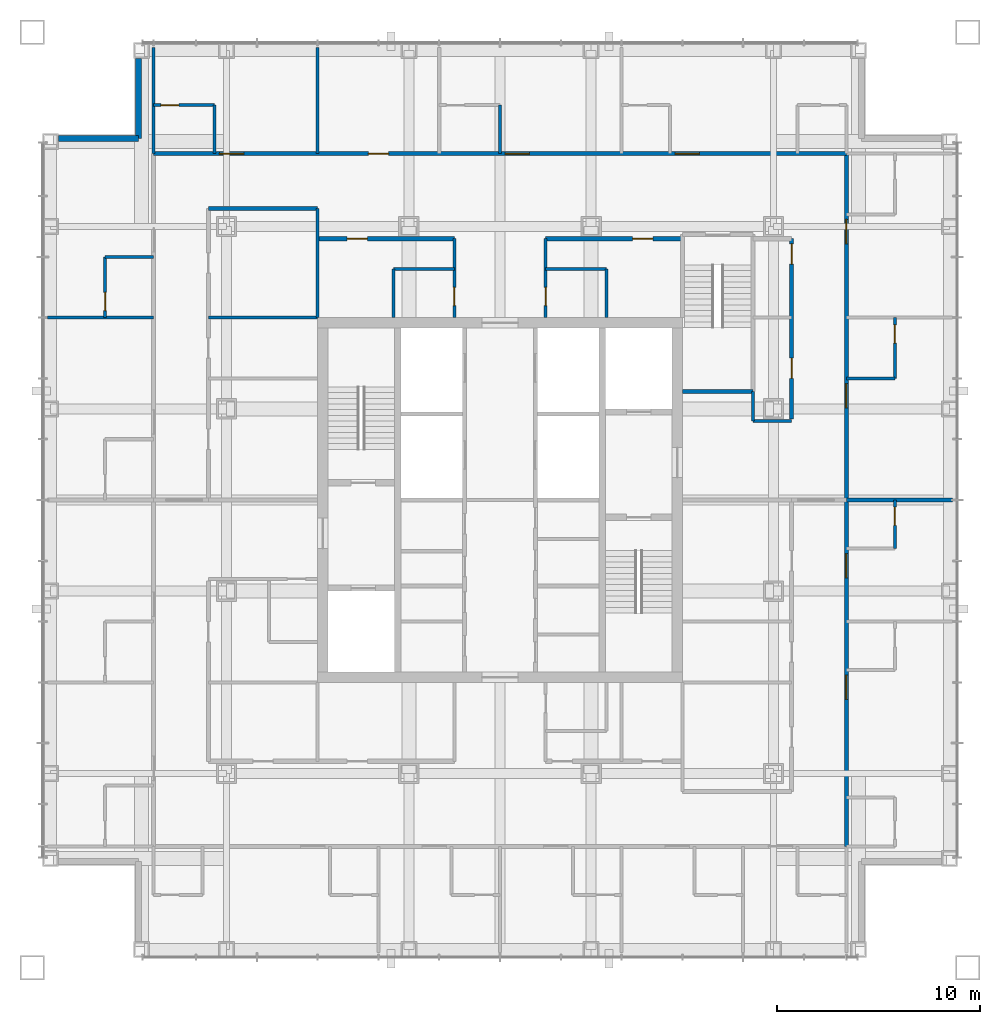
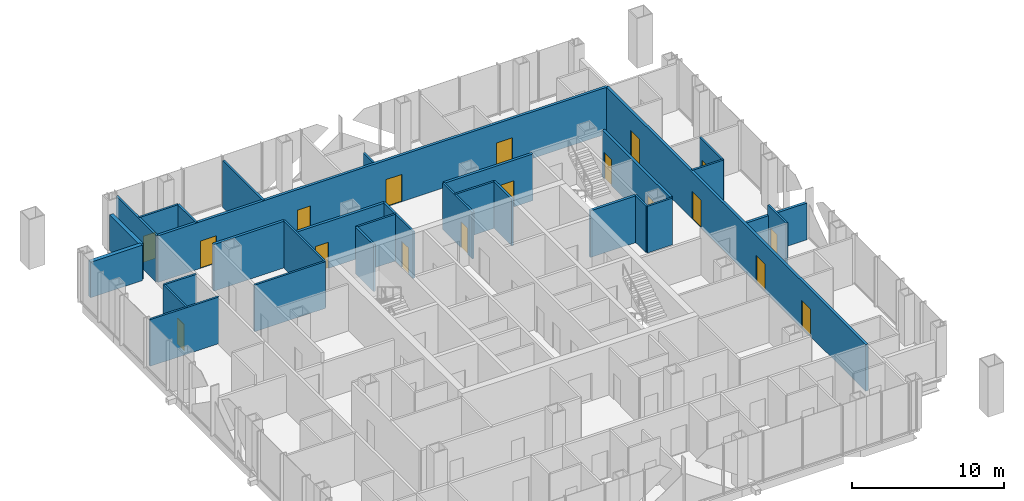
# One storey, part 15 of 17: 31 walls, 18 doors, 18 openings.
"""IFC4 building model written with IfcOpenShell, lengths in metres."""

from ifc_helpers import new_model, si_unit, direction, frame, frame_2d, origin, place, context, subcontext, project, spatial, rectangle, extrude, material, layer, layer_set, type_object, element, fill, save


model = new_model("IFC4")

# Units and contexts
model_context = context("Model", 3, precision=1e-05, world=origin(), true_north=direction((0.0, 1.0)))
body_context = subcontext(model_context, "Body", "Model", "MODEL_VIEW")
ifc_project = project(units=[si_unit("LENGTHUNIT", "METRE"), si_unit("AREAUNIT", "SQUARE_METRE"), si_unit("VOLUMEUNIT", "CUBIC_METRE"), si_unit("PLANEANGLEUNIT", "RADIAN"), si_unit("MASSUNIT", "GRAM", prefix="KILO")], contexts=[model_context])

# Site, building, storey
site_placement = place(None, origin())
site = spatial("IfcSite", under=ifc_project, at=site_placement, CompositionType="ELEMENT")
building_placement = place(site_placement, origin())
building = spatial("IfcBuilding", under=site, at=building_placement, Name="Malebo Sky Hospital", CompositionType="ELEMENT")
storey_placement = place(building_placement, frame((0.0, 0.0, 189.0)))
storey = spatial("IfcBuildingStorey", under=building, at=storey_placement, Name="L45", CompositionType="ELEMENT", Elevation=189.0)

# Wall, openings, doors
ifc_material_1 = material(Name="Gypsum board on steel studs", Category="steel")
ifc_layer_1 = layer(ifc_material_1, 0.199951171875)
ifc_layer_set_1 = layer_set([ifc_layer_1], Name="CORRIDOR WALL 200")
wall_type_1 = type_object("IfcWallType", Name="CORRIDOR WALL 200", PredefinedType="PARTITIONING", material=ifc_layer_set_1)
wall_1_placement = place(storey_placement, frame((42.89990234375, 79.10009765625, 0.0), z_axis=(0.0, 0.0, 1.0), x_axis=(1.0, 0.0, 0.0)))
wall_1 = element("IfcWall", 1, at=wall_1_placement, inside=storey, type_object=wall_type_1, Name="Corridor Wall 200 NCO", PredefinedType="PARTITIONING", context=body_context, shape_type="SweptSolid", body=[
    extrude(rectangle(XDim=34.2001953125, YDim=0.199951171875, at=frame_2d((17.10009765625, 0.0))), origin(), (0.0, 0.0, 1.0), 3.75),
])
opening_1_placement = place(wall_1_placement, frame((3.25, 0.0, 0.0)))
opening_1 = element("IfcOpeningElement", 2, at=opening_1_placement, cuts=wall_1, Name="Opening D01", PredefinedType="OPENING", context=body_context, shape_type="SweptSolid", body=[
    extrude(rectangle(XDim=1.199951171875, YDim=2.199951171875, at=frame_2d((0.60009765625, 1.10009765625))), frame((0.0, 0.10986328125, 0.0), z_axis=(0.0, -1.0, 0.0), x_axis=(1.0, 0.0, 0.0)), (0.0, 0.0, 1.0), 0.219970703125),
])
opening_2_placement = place(wall_1_placement, frame((10.60009765625, 0.0, 0.0)))
opening_2 = element("IfcOpeningElement", 3, at=opening_2_placement, cuts=wall_1, Name="Opening D03", PredefinedType="OPENING", context=body_context, shape_type="SweptSolid", body=[
    extrude(rectangle(XDim=1.0, YDim=2.10009765625, at=frame_2d((0.5, 1.050048828125))), frame((0.0, 0.10986328125, 0.0), z_axis=(0.0, -1.0, 0.0), x_axis=(1.0, 0.0, 0.0)), (0.0, 0.0, 1.0), 0.219970703125),
])
opening_3_placement = place(wall_1_placement, frame((17.35009765625, 0.0, 0.0)))
opening_3 = element("IfcOpeningElement", 4, at=opening_3_placement, cuts=wall_1, Name="Opening D01", PredefinedType="OPENING", context=body_context, shape_type="SweptSolid", body=[
    extrude(rectangle(XDim=1.199951171875, YDim=2.199951171875, at=frame_2d((0.60009765625, 1.10009765625))), frame((0.0, 0.10986328125, 0.0), z_axis=(0.0, -1.0, 0.0), x_axis=(1.0, 0.0, 0.0)), (0.0, 0.0, 1.0), 0.219970703125),
])
opening_4_placement = place(wall_1_placement, frame((25.75, 0.0, 0.0)))
opening_4 = element("IfcOpeningElement", 5, at=opening_4_placement, cuts=wall_1, Name="Opening D01", PredefinedType="OPENING", context=body_context, shape_type="SweptSolid", body=[
    extrude(rectangle(XDim=1.199951171875, YDim=2.199951171875, at=frame_2d((0.60009765625, 1.10009765625))), frame((0.0, 0.10986328125, 0.0), z_axis=(0.0, -1.0, 0.0), x_axis=(1.0, 0.0, 0.0)), (0.0, 0.0, 1.0), 0.219970703125),
])
ifc_material_2 = material(Name="Hardwood-faced door leaf in steel frame", Category="steel")
door_type_1 = type_object("IfcDoorType", Name="BED DOOR 1200", OperationType="SINGLE_SWING_LEFT", PredefinedType="DOOR", material=ifc_material_2)
door_1_placement = place(opening_1_placement, origin())
door_1 = element("IfcDoor", 6, at=door_1_placement, inside=storey, type_object=door_type_1, Name="Two-bed room door", OperationType="SINGLE_SWING_LEFT", OverallHeight=2.199951171875, OverallWidth=1.199951171875, PredefinedType="DOOR", context=body_context, shape_type="SweptSolid", body=[
    extrude(rectangle(XDim=1.199951171875, YDim=2.199951171875, at=frame_2d((0.60009765625, 1.10009765625))), frame((0.0, 0.02490234375, 0.0), z_axis=(0.0, -1.0, 0.0), x_axis=(1.0, 0.0, 0.0)), (0.0, 0.0, 1.0), 0.050048828125),
])
fill(opening_1, door_1)
door_2_placement = place(opening_3_placement, origin())
door_2 = element("IfcDoor", 7, at=door_2_placement, inside=storey, type_object=door_type_1, Name="Two-bed room door", OperationType="SINGLE_SWING_LEFT", OverallHeight=2.199951171875, OverallWidth=1.199951171875, PredefinedType="DOOR", context=body_context, shape_type="SweptSolid", body=[
    extrude(rectangle(XDim=1.199951171875, YDim=2.199951171875, at=frame_2d((0.60009765625, 1.10009765625))), frame((0.0, 0.02490234375, 0.0), z_axis=(0.0, -1.0, 0.0), x_axis=(1.0, 0.0, 0.0)), (0.0, 0.0, 1.0), 0.050048828125),
])
fill(opening_3, door_2)
door_3_placement = place(opening_4_placement, origin())
door_3 = element("IfcDoor", 8, at=door_3_placement, inside=storey, type_object=door_type_1, Name="Four-bed bay door", OperationType="SINGLE_SWING_LEFT", OverallHeight=2.199951171875, OverallWidth=1.199951171875, PredefinedType="DOOR", context=body_context, shape_type="SweptSolid", body=[
    extrude(rectangle(XDim=1.199951171875, YDim=2.199951171875, at=frame_2d((0.60009765625, 1.10009765625))), frame((0.0, 0.02490234375, 0.0), z_axis=(0.0, -1.0, 0.0), x_axis=(1.0, 0.0, 0.0)), (0.0, 0.0, 1.0), 0.050048828125),
])
fill(opening_4, door_3)
door_type_2 = type_object("IfcDoorType", Name="ROOM DOOR 1000", OperationType="SINGLE_SWING_LEFT", PredefinedType="DOOR", material=ifc_material_2)
door_4_placement = place(opening_2_placement, origin())
door_4 = element("IfcDoor", 9, at=door_4_placement, inside=storey, type_object=door_type_2, Name="Infant feeding room door", OperationType="SINGLE_SWING_LEFT", OverallHeight=2.10009765625, OverallWidth=1.0, PredefinedType="DOOR", context=body_context, shape_type="SweptSolid", body=[
    extrude(rectangle(XDim=1.0, YDim=2.10009765625, at=frame_2d((0.5, 1.050048828125))), frame((0.0, 0.02490234375, 0.0), z_axis=(0.0, -1.0, 0.0), x_axis=(1.0, 0.0, 0.0)), (0.0, 0.0, 1.0), 0.050048828125),
])
fill(opening_2, door_4)

# Wall
wall_2_placement = place(storey_placement, frame((45.60009765625, 76.39990234375, 0.0), z_axis=(0.0, 0.0, 1.0), x_axis=(1.0, 0.0, 0.0)))
element("IfcWall", 10, at=wall_2_placement, inside=storey, type_object=wall_type_1, Name="Corridor Wall 200 NCIK", PredefinedType="PARTITIONING", context=body_context, shape_type="SweptSolid", body=[
    extrude(rectangle(XDim=5.39990234375, YDim=0.199951171875, at=frame_2d((2.699951171875, 0.0))), origin(), (0.0, 0.0, 1.0), 3.75),
])

# Wall, opening, door
wall_3_placement = place(storey_placement, frame((51.0, 74.89990234375, 0.0), z_axis=(0.0, 0.0, 1.0), x_axis=(1.0, 0.0, 0.0)))
wall_3 = element("IfcWall", 11, at=wall_3_placement, inside=storey, type_object=wall_type_1, Name="Corridor Wall 200 NCI1", PredefinedType="PARTITIONING", context=body_context, shape_type="SweptSolid", body=[
    extrude(rectangle(XDim=6.75, YDim=0.199951171875, at=frame_2d((3.375, 0.0))), origin(), (0.0, 0.0, 1.0), 3.75),
])
opening_5_placement = place(wall_3_placement, frame((1.449951171875, 0.0, 0.0)))
opening_5 = element("IfcOpeningElement", 12, at=opening_5_placement, cuts=wall_3, Name="Opening D03", PredefinedType="OPENING", context=body_context, shape_type="SweptSolid", body=[
    extrude(rectangle(XDim=1.0, YDim=2.10009765625, at=frame_2d((0.5, 1.050048828125))), frame((0.0, 0.10986328125, 0.0), z_axis=(0.0, -1.0, 0.0), x_axis=(1.0, 0.0, 0.0)), (0.0, 0.0, 1.0), 0.219970703125),
])
door_5_placement = place(opening_5_placement, origin())
door_5 = element("IfcDoor", 13, at=door_5_placement, inside=storey, type_object=door_type_2, Name="Postnatal examination room door", OperationType="SINGLE_SWING_LEFT", OverallHeight=2.10009765625, OverallWidth=1.0, PredefinedType="DOOR", context=body_context, shape_type="SweptSolid", body=[
    extrude(rectangle(XDim=1.0, YDim=2.10009765625, at=frame_2d((0.5, 1.050048828125))), frame((0.0, 0.02490234375, 0.0), z_axis=(0.0, -1.0, 0.0), x_axis=(1.0, 0.0, 0.0)), (0.0, 0.0, 1.0), 0.050048828125),
])
fill(opening_5, door_5)

wall_4_placement = place(storey_placement, frame((62.25, 74.89990234375, 0.0), z_axis=(0.0, 0.0, 1.0), x_axis=(1.0, 0.0, 0.0)))
wall_4 = element("IfcWall", 14, at=wall_4_placement, inside=storey, type_object=wall_type_1, Name="Corridor Wall 200 NCI2", PredefinedType="PARTITIONING", context=body_context, shape_type="SweptSolid", body=[
    extrude(rectangle(XDim=6.75, YDim=0.199951171875, at=frame_2d((3.375, 0.0))), origin(), (0.0, 0.0, 1.0), 3.75),
])
opening_6_placement = place(wall_4_placement, frame((4.300048828125, 0.0, 0.0)))
opening_6 = element("IfcOpeningElement", 15, at=opening_6_placement, cuts=wall_4, Name="Opening D03", PredefinedType="OPENING", context=body_context, shape_type="SweptSolid", body=[
    extrude(rectangle(XDim=1.0, YDim=2.10009765625, at=frame_2d((0.5, 1.050048828125))), frame((0.0, 0.10986328125, 0.0), z_axis=(0.0, -1.0, 0.0), x_axis=(1.0, 0.0, 0.0)), (0.0, 0.0, 1.0), 0.219970703125),
])
door_6_placement = place(opening_6_placement, origin())
door_6 = element("IfcDoor", 16, at=door_6_placement, inside=storey, type_object=door_type_2, Name="Milk kitchen door", OperationType="SINGLE_SWING_RIGHT", OverallHeight=2.10009765625, OverallWidth=1.0, PredefinedType="DOOR", context=body_context, shape_type="SweptSolid", body=[
    extrude(rectangle(XDim=1.0, YDim=2.10009765625, at=frame_2d((0.5, 1.050048828125))), frame((0.0, 0.02490234375, 0.0), z_axis=(0.0, -1.0, 0.0), x_axis=(1.0, 0.0, 0.0)), (0.0, 0.0, 1.0), 0.050048828125),
])
fill(opening_6, door_6)

# Wall, openings, doors
wall_5_placement = place(storey_placement, frame((77.10009765625, 79.10009765625, 0.0), z_axis=(0.0, 0.0, 1.0), x_axis=(0.0, -1.0, 0.0)))
wall_5 = element("IfcWall", 17, at=wall_5_placement, inside=storey, type_object=wall_type_1, Name="Corridor Wall 200 ECO", PredefinedType="PARTITIONING", context=body_context, shape_type="SweptSolid", body=[
    extrude(rectangle(XDim=34.2001953125, YDim=0.199951171875, at=frame_2d((17.10009765625, 0.0))), origin(), (0.0, 0.0, 1.0), 3.75),
])
opening_7_placement = place(wall_5_placement, frame((3.25, 0.0, 0.0)))
opening_7 = element("IfcOpeningElement", 18, at=opening_7_placement, cuts=wall_5, Name="Opening D01", PredefinedType="OPENING", context=body_context, shape_type="SweptSolid", body=[
    extrude(rectangle(XDim=1.199951171875, YDim=2.199951171875, at=frame_2d((0.60009765625, 1.10009765625))), frame((0.0, 0.10986328125, 0.0), z_axis=(0.0, -1.0, 0.0), x_axis=(1.0, 0.0, 0.0)), (0.0, 0.0, 1.0), 0.219970703125),
])
opening_8_placement = place(wall_5_placement, frame((11.35009765625, 0.0, 0.0)))
opening_8 = element("IfcOpeningElement", 19, at=opening_8_placement, cuts=wall_5, Name="Opening D01", PredefinedType="OPENING", context=body_context, shape_type="SweptSolid", body=[
    extrude(rectangle(XDim=1.199951171875, YDim=2.199951171875, at=frame_2d((0.60009765625, 1.10009765625))), frame((0.0, 0.10986328125, 0.0), z_axis=(0.0, -1.0, 0.0), x_axis=(1.0, 0.0, 0.0)), (0.0, 0.0, 1.0), 0.219970703125),
])
opening_9_placement = place(wall_5_placement, frame((19.75, 0.0, 0.0)))
opening_9 = element("IfcOpeningElement", 20, at=opening_9_placement, cuts=wall_5, Name="Opening D01", PredefinedType="OPENING", context=body_context, shape_type="SweptSolid", body=[
    extrude(rectangle(XDim=1.199951171875, YDim=2.199951171875, at=frame_2d((0.60009765625, 1.10009765625))), frame((0.0, 0.10986328125, 0.0), z_axis=(0.0, -1.0, 0.0), x_axis=(1.0, 0.0, 0.0)), (0.0, 0.0, 1.0), 0.219970703125),
])
opening_10_placement = place(wall_5_placement, frame((25.75, 0.0, 0.0)))
opening_10 = element("IfcOpeningElement", 21, at=opening_10_placement, cuts=wall_5, Name="Opening D01", PredefinedType="OPENING", context=body_context, shape_type="SweptSolid", body=[
    extrude(rectangle(XDim=1.199951171875, YDim=2.199951171875, at=frame_2d((0.60009765625, 1.10009765625))), frame((0.0, 0.10986328125, 0.0), z_axis=(0.0, -1.0, 0.0), x_axis=(1.0, 0.0, 0.0)), (0.0, 0.0, 1.0), 0.219970703125),
])
door_7_placement = place(opening_7_placement, origin())
door_7 = element("IfcDoor", 22, at=door_7_placement, inside=storey, type_object=door_type_1, Name="Two-bed room door", OperationType="SINGLE_SWING_LEFT", OverallHeight=2.199951171875, OverallWidth=1.199951171875, PredefinedType="DOOR", context=body_context, shape_type="SweptSolid", body=[
    extrude(rectangle(XDim=1.199951171875, YDim=2.199951171875, at=frame_2d((0.60009765625, 1.10009765625))), frame((0.0, 0.02490234375, 0.0), z_axis=(0.0, -1.0, 0.0), x_axis=(1.0, 0.0, 0.0)), (0.0, 0.0, 1.0), 0.050048828125),
])
fill(opening_7, door_7)
door_8_placement = place(opening_8_placement, origin())
door_8 = element("IfcDoor", 23, at=door_8_placement, inside=storey, type_object=door_type_1, Name="Two-bed room door", OperationType="SINGLE_SWING_LEFT", OverallHeight=2.199951171875, OverallWidth=1.199951171875, PredefinedType="DOOR", context=body_context, shape_type="SweptSolid", body=[
    extrude(rectangle(XDim=1.199951171875, YDim=2.199951171875, at=frame_2d((0.60009765625, 1.10009765625))), frame((0.0, 0.02490234375, 0.0), z_axis=(0.0, -1.0, 0.0), x_axis=(1.0, 0.0, 0.0)), (0.0, 0.0, 1.0), 0.050048828125),
])
fill(opening_8, door_8)
door_9_placement = place(opening_9_placement, origin())
door_9 = element("IfcDoor", 24, at=door_9_placement, inside=storey, type_object=door_type_1, Name="Single bed room door", OperationType="SINGLE_SWING_LEFT", OverallHeight=2.199951171875, OverallWidth=1.199951171875, PredefinedType="DOOR", context=body_context, shape_type="SweptSolid", body=[
    extrude(rectangle(XDim=1.199951171875, YDim=2.199951171875, at=frame_2d((0.60009765625, 1.10009765625))), frame((0.0, 0.02490234375, 0.0), z_axis=(0.0, -1.0, 0.0), x_axis=(1.0, 0.0, 0.0)), (0.0, 0.0, 1.0), 0.050048828125),
])
fill(opening_9, door_9)
door_10_placement = place(opening_10_placement, origin())
door_10 = element("IfcDoor", 25, at=door_10_placement, inside=storey, type_object=door_type_1, Name="Four-bed bay door", OperationType="SINGLE_SWING_LEFT", OverallHeight=2.199951171875, OverallWidth=1.199951171875, PredefinedType="DOOR", context=body_context, shape_type="SweptSolid", body=[
    extrude(rectangle(XDim=1.199951171875, YDim=2.199951171875, at=frame_2d((0.60009765625, 1.10009765625))), frame((0.0, 0.02490234375, 0.0), z_axis=(0.0, -1.0, 0.0), x_axis=(1.0, 0.0, 0.0)), (0.0, 0.0, 1.0), 0.050048828125),
])
fill(opening_10, door_10)

wall_6_placement = place(storey_placement, frame((74.39990234375, 74.89990234375, 0.0), z_axis=(0.0, 0.0, 1.0), x_axis=(0.0, -1.0, 0.0)))
wall_6 = element("IfcWall", 26, at=wall_6_placement, inside=storey, type_object=wall_type_1, Name="Corridor Wall 200 ECI1", PredefinedType="PARTITIONING", context=body_context, shape_type="SweptSolid", body=[
    extrude(rectangle(XDim=8.89990234375, YDim=0.199951171875, at=frame_2d((4.449951171875, 0.0))), origin(), (0.0, 0.0, 1.0), 3.75),
])
opening_11_placement = place(wall_6_placement, frame((0.25, 0.0, 0.0)))
opening_11 = element("IfcOpeningElement", 27, at=opening_11_placement, cuts=wall_6, Name="Opening D03", PredefinedType="OPENING", context=body_context, shape_type="SweptSolid", body=[
    extrude(rectangle(XDim=1.0, YDim=2.10009765625, at=frame_2d((0.5, 1.050048828125))), frame((0.0, 0.10986328125, 0.0), z_axis=(0.0, -1.0, 0.0), x_axis=(1.0, 0.0, 0.0)), (0.0, 0.0, 1.0), 0.219970703125),
])
opening_12_placement = place(wall_6_placement, frame((5.89990234375, 0.0, 0.0)))
opening_12 = element("IfcOpeningElement", 28, at=opening_12_placement, cuts=wall_6, Name="Opening D03", PredefinedType="OPENING", context=body_context, shape_type="SweptSolid", body=[
    extrude(rectangle(XDim=1.0, YDim=2.10009765625, at=frame_2d((0.5, 1.050048828125))), frame((0.0, 0.10986328125, 0.0), z_axis=(0.0, -1.0, 0.0), x_axis=(1.0, 0.0, 0.0)), (0.0, 0.0, 1.0), 0.219970703125),
])
door_11_placement = place(opening_11_placement, origin())
door_11 = element("IfcDoor", 29, at=door_11_placement, inside=storey, type_object=door_type_2, Name="Consulting room door", OperationType="SINGLE_SWING_LEFT", OverallHeight=2.10009765625, OverallWidth=1.0, PredefinedType="DOOR", context=body_context, shape_type="SweptSolid", body=[
    extrude(rectangle(XDim=1.0, YDim=2.10009765625, at=frame_2d((0.5, 1.050048828125))), frame((0.0, 0.02490234375, 0.0), z_axis=(0.0, -1.0, 0.0), x_axis=(1.0, 0.0, 0.0)), (0.0, 0.0, 1.0), 0.050048828125),
])
fill(opening_11, door_11)
door_12_placement = place(opening_12_placement, origin())
door_12 = element("IfcDoor", 30, at=door_12_placement, inside=storey, type_object=door_type_2, Name="Clean utility room door", OperationType="SINGLE_SWING_LEFT", OverallHeight=2.10009765625, OverallWidth=1.0, PredefinedType="DOOR", context=body_context, shape_type="SweptSolid", body=[
    extrude(rectangle(XDim=1.0, YDim=2.10009765625, at=frame_2d((0.5, 1.050048828125))), frame((0.0, 0.02490234375, 0.0), z_axis=(0.0, -1.0, 0.0), x_axis=(1.0, 0.0, 0.0)), (0.0, 0.0, 1.0), 0.050048828125),
])
fill(opening_12, door_12)

# Walls
ifc_material_3 = material(Name="Anodised aluminium rainscreen on steel framing", Category="steel")
ifc_layer_2 = layer(ifc_material_3, 0.300048828125)
ifc_layer_set_2 = layer_set([ifc_layer_2], Name="NOTCH RAINSCREEN WALL 300")
wall_type_2 = type_object("IfcWallType", Name="NOTCH RAINSCREEN WALL 300", PredefinedType="ELEMENTEDWALL", material=ifc_layer_set_2)
for number, where, z_axis, x_axis, name in (
    (31, (38.199951171875, 79.85009765625, 0.0), (0.0, 0.0, 1.0), (1.0, 0.0, 0.0), "Notch rainscreen wall W1 L45"),
    (32, (42.14990234375, 79.85009765625, 0.0), (0.0, 0.0, 1.0), (0.0, 1.0, 0.0), "Notch rainscreen wall W2 L45"),
):
    element("IfcWall", number, at=place(storey_placement, frame(where, z_axis=z_axis, x_axis=x_axis)), inside=storey, type_object=wall_type_2, Name=name, PredefinedType="ELEMENTEDWALL", context=body_context, shape_type="SweptSolid", body=[
        extrude(rectangle(XDim=3.949951171875, YDim=0.300048828125, at=frame_2d((1.97509765625, 0.0))), origin(), (0.0, 0.0, 1.0), 2.85009765625),
    ])
ifc_layer_3 = layer(ifc_material_1, 0.14990234375)
ifc_layer_set_3 = layer_set([ifc_layer_3], Name="PARTITION 150")
wall_type_3 = type_object("IfcWallType", Name="PARTITION 150", PredefinedType="PARTITIONING", material=ifc_layer_set_3)
for number, where, z_axis, x_axis, name in (
    (33, (51.0, 79.10009765625, 0.0), (0.0, 0.0, 1.0), (0.0, 1.0, 0.0), "Partition 150 NP-9.0"),
    (34, (42.89990234375, 79.10009765625, 0.0), (0.0, 0.0, 1.0), (0.0, 1.0, 0.0), "Partition 150 NP0"),
):
    element("IfcWall", number, at=place(storey_placement, frame(where, z_axis=z_axis, x_axis=x_axis)), inside=storey, type_object=wall_type_3, Name=name, PredefinedType="PARTITIONING", context=body_context, shape_type="SweptSolid", body=[
        extrude(rectangle(XDim=5.25, YDim=0.14990234375, at=frame_2d((2.625, 0.0))), origin(), (0.0, 0.0, 1.0), 3.75),
    ])

# Wall, opening, door
wall_7_placement = place(storey_placement, frame((42.89990234375, 81.5, 0.0), z_axis=(0.0, 0.0, 1.0), x_axis=(1.0, 0.0, 0.0)))
wall_7 = element("IfcWall", 35, at=wall_7_placement, inside=storey, type_object=wall_type_3, Name="Partition 150 NE0F", PredefinedType="PARTITIONING", context=body_context, shape_type="SweptSolid", body=[
    extrude(rectangle(XDim=3.0, YDim=0.14990234375, at=frame_2d((1.5, 0.0))), origin(), (0.0, 0.0, 1.0), 3.75),
])
opening_13_placement = place(wall_7_placement, frame((0.35009765625, 0.0, 0.0)))
opening_13 = element("IfcOpeningElement", 36, at=opening_13_placement, cuts=wall_7, Name="Opening D02", PredefinedType="OPENING", context=body_context, shape_type="SweptSolid", body=[
    extrude(rectangle(XDim=0.89990234375, YDim=2.10009765625, at=frame_2d((0.449951171875, 1.050048828125))), frame((0.0, 0.0849609375, 0.0), z_axis=(0.0, -1.0, 0.0), x_axis=(1.0, 0.0, 0.0)), (0.0, 0.0, 1.0), 0.169921875),
])
door_type_3 = type_object("IfcDoorType", Name="EN-SUITE DOOR 900", OperationType="SINGLE_SWING_LEFT", PredefinedType="DOOR", material=ifc_material_2)
door_13_placement = place(opening_13_placement, origin())
door_13 = element("IfcDoor", 37, at=door_13_placement, inside=storey, type_object=door_type_3, Name="En-suite door", OperationType="SINGLE_SWING_LEFT", OverallHeight=2.10009765625, OverallWidth=0.89990234375, PredefinedType="DOOR", context=body_context, shape_type="SweptSolid", body=[
    extrude(rectangle(XDim=0.89990234375, YDim=2.10009765625, at=frame_2d((0.449951171875, 1.050048828125))), frame((0.0, 0.02490234375, 0.0), z_axis=(0.0, -1.0, 0.0), x_axis=(1.0, 0.0, 0.0)), (0.0, 0.0, 1.0), 0.050048828125),
])
fill(opening_13, door_13)

# Walls
wall_8_placement = place(storey_placement, frame((45.89990234375, 79.10009765625, 0.0), z_axis=(0.0, 0.0, 1.0), x_axis=(0.0, 1.0, 0.0)))
element("IfcWall", 38, at=wall_8_placement, inside=storey, type_object=wall_type_3, Name="Partition 150 NE0S", PredefinedType="PARTITIONING", context=body_context, shape_type="SweptSolid", body=[
    extrude(rectangle(XDim=2.39990234375, YDim=0.14990234375, at=frame_2d((1.199951171875, 0.0))), origin(), (0.0, 0.0, 1.0), 3.75),
])
wall_9_placement = place(storey_placement, frame((60.0, 79.10009765625, 0.0), z_axis=(0.0, 0.0, 1.0), x_axis=(0.0, 1.0, 0.0)))
element("IfcWall", 39, at=wall_9_placement, inside=storey, type_object=wall_type_3, Name="Partition 150 NE2S", PredefinedType="PARTITIONING", context=body_context, shape_type="SweptSolid", body=[
    extrude(rectangle(XDim=2.39990234375, YDim=0.14990234375, at=frame_2d((1.199951171875, 0.0))), origin(), (0.0, 0.0, 1.0), 2.949951171875),
])
wall_10_placement = place(storey_placement, frame((51.0, 71.0, 0.0), z_axis=(0.0, 0.0, 1.0), x_axis=(0.0, 1.0, 0.0)))
element("IfcWall", 40, at=wall_10_placement, inside=storey, type_object=wall_type_3, Name="Partition 150 NSP0", PredefinedType="PARTITIONING", context=body_context, shape_type="SweptSolid", body=[
    extrude(rectangle(XDim=5.39990234375, YDim=0.14990234375, at=frame_2d((2.699951171875, 0.0))), origin(), (0.0, 0.0, 1.0), 3.75),
])

# Wall, opening, door
wall_11_placement = place(storey_placement, frame((57.75, 71.0, 0.0), z_axis=(0.0, 0.0, 1.0), x_axis=(0.0, 1.0, 0.0)))
wall_11 = element("IfcWall", 41, at=wall_11_placement, inside=storey, type_object=wall_type_3, Name="Partition 150 NSPA", PredefinedType="PARTITIONING", context=body_context, shape_type="SweptSolid", body=[
    extrude(rectangle(XDim=3.89990234375, YDim=0.14990234375, at=frame_2d((1.949951171875, 0.0))), origin(), (0.0, 0.0, 1.0), 3.75),
])
opening_14_placement = place(wall_11_placement, frame((0.60009765625, 0.0, 0.0)))
opening_14 = element("IfcOpeningElement", 42, at=opening_14_placement, cuts=wall_11, Name="Opening D04", PredefinedType="OPENING", context=body_context, shape_type="SweptSolid", body=[
    extrude(rectangle(XDim=0.89990234375, YDim=2.10009765625, at=frame_2d((0.449951171875, 1.050048828125))), frame((0.0, 0.0849609375, 0.0), z_axis=(0.0, -1.0, 0.0), x_axis=(1.0, 0.0, 0.0)), (0.0, 0.0, 1.0), 0.169921875),
])
door_type_4 = type_object("IfcDoorType", Name="ROOM DOOR 900", OperationType="SINGLE_SWING_LEFT", PredefinedType="DOOR", material=ifc_material_2)
door_14_placement = place(opening_14_placement, origin())
door_14 = element("IfcDoor", 43, at=door_14_placement, inside=storey, type_object=door_type_4, Name="Staff WC door", OperationType="SINGLE_SWING_LEFT", OverallHeight=2.10009765625, OverallWidth=0.89990234375, PredefinedType="DOOR", context=body_context, shape_type="SweptSolid", body=[
    extrude(rectangle(XDim=0.89990234375, YDim=2.10009765625, at=frame_2d((0.449951171875, 1.050048828125))), frame((0.0, 0.02490234375, 0.0), z_axis=(0.0, -1.0, 0.0), x_axis=(1.0, 0.0, 0.0)), (0.0, 0.0, 1.0), 0.050048828125),
])
fill(opening_14, door_14)

wall_12_placement = place(storey_placement, frame((62.25, 71.0, 0.0), z_axis=(0.0, 0.0, 1.0), x_axis=(0.0, 1.0, 0.0)))
wall_12 = element("IfcWall", 44, at=wall_12_placement, inside=storey, type_object=wall_type_3, Name="Partition 150 NSPB", PredefinedType="PARTITIONING", context=body_context, shape_type="SweptSolid", body=[
    extrude(rectangle(XDim=3.89990234375, YDim=0.14990234375, at=frame_2d((1.949951171875, 0.0))), origin(), (0.0, 0.0, 1.0), 3.75),
])
opening_15_placement = place(wall_12_placement, frame((0.60009765625, 0.0, 0.0)))
opening_15 = element("IfcOpeningElement", 45, at=opening_15_placement, cuts=wall_12, Name="Opening D04", PredefinedType="OPENING", context=body_context, shape_type="SweptSolid", body=[
    extrude(rectangle(XDim=0.89990234375, YDim=2.10009765625, at=frame_2d((0.449951171875, 1.050048828125))), frame((0.0, 0.0849609375, 0.0), z_axis=(0.0, -1.0, 0.0), x_axis=(1.0, 0.0, 0.0)), (0.0, 0.0, 1.0), 0.169921875),
])
door_15_placement = place(opening_15_placement, origin())
door_15 = element("IfcDoor", 46, at=door_15_placement, inside=storey, type_object=door_type_4, Name="Accessible WC door", OperationType="SINGLE_SWING_LEFT", OverallHeight=2.10009765625, OverallWidth=0.89990234375, PredefinedType="DOOR", context=body_context, shape_type="SweptSolid", body=[
    extrude(rectangle(XDim=0.89990234375, YDim=2.10009765625, at=frame_2d((0.449951171875, 1.050048828125))), frame((0.0, 0.02490234375, 0.0), z_axis=(0.0, -1.0, 0.0), x_axis=(1.0, 0.0, 0.0)), (0.0, 0.0, 1.0), 0.050048828125),
])
fill(opening_15, door_15)

# Walls
wall_13_placement = place(storey_placement, frame((54.75, 73.39990234375, 0.0), z_axis=(0.0, 0.0, 1.0), x_axis=(1.0, 0.0, 0.0)))
element("IfcWall", 47, at=wall_13_placement, inside=storey, type_object=wall_type_3, Name="Partition 150 NSX0", PredefinedType="PARTITIONING", context=body_context, shape_type="SweptSolid", body=[
    extrude(rectangle(XDim=3.0, YDim=0.14990234375, at=frame_2d((1.5, 0.0))), origin(), (0.0, 0.0, 1.0), 3.75),
])
wall_14_placement = place(storey_placement, frame((54.75, 71.0, 0.0), z_axis=(0.0, 0.0, 1.0), x_axis=(0.0, 1.0, 0.0)))
element("IfcWall", 48, at=wall_14_placement, inside=storey, type_object=wall_type_3, Name="Partition 150 NSY0", PredefinedType="PARTITIONING", context=body_context, shape_type="SweptSolid", body=[
    extrude(rectangle(XDim=2.39990234375, YDim=0.14990234375, at=frame_2d((1.199951171875, 0.0))), origin(), (0.0, 0.0, 1.0), 3.75),
])
wall_15_placement = place(storey_placement, frame((62.25, 73.39990234375, 0.0), z_axis=(0.0, 0.0, 1.0), x_axis=(1.0, 0.0, 0.0)))
element("IfcWall", 49, at=wall_15_placement, inside=storey, type_object=wall_type_3, Name="Partition 150 NSX1", PredefinedType="PARTITIONING", context=body_context, shape_type="SweptSolid", body=[
    extrude(rectangle(XDim=3.0, YDim=0.14990234375, at=frame_2d((1.5, 0.0))), origin(), (0.0, 0.0, 1.0), 3.75),
])
wall_16_placement = place(storey_placement, frame((65.25, 71.0, 0.0), z_axis=(0.0, 0.0, 1.0), x_axis=(0.0, 1.0, 0.0)))
element("IfcWall", 50, at=wall_16_placement, inside=storey, type_object=wall_type_3, Name="Partition 150 NSY1", PredefinedType="PARTITIONING", context=body_context, shape_type="SweptSolid", body=[
    extrude(rectangle(XDim=2.39990234375, YDim=0.14990234375, at=frame_2d((1.199951171875, 0.0))), origin(), (0.0, 0.0, 1.0), 3.75),
])
wall_17_placement = place(storey_placement, frame((42.89990234375, 71.0, 0.0), z_axis=(0.0, 0.0, 1.0), x_axis=(-1.0, 0.0, 0.0)))
element("IfcWall", 51, at=wall_17_placement, inside=storey, type_object=wall_type_3, Name="Partition 150 WP+9.0", PredefinedType="PARTITIONING", context=body_context, shape_type="SweptSolid", body=[
    extrude(rectangle(XDim=5.25, YDim=0.14990234375, at=frame_2d((2.625, 0.0))), origin(), (0.0, 0.0, 1.0), 3.75),
])

# Wall, opening, door
wall_18_placement = place(storey_placement, frame((40.5, 71.0, 0.0), z_axis=(0.0, 0.0, 1.0), x_axis=(0.0, 1.0, 0.0)))
wall_18 = element("IfcWall", 52, at=wall_18_placement, inside=storey, type_object=wall_type_3, Name="Partition 150 WE3F", PredefinedType="PARTITIONING", context=body_context, shape_type="SweptSolid", body=[
    extrude(rectangle(XDim=3.0, YDim=0.14990234375, at=frame_2d((1.5, 0.0))), origin(), (0.0, 0.0, 1.0), 3.75),
])
opening_16_placement = place(wall_18_placement, frame((0.35009765625, 0.0, 0.0)))
opening_16 = element("IfcOpeningElement", 53, at=opening_16_placement, cuts=wall_18, Name="Opening D02", PredefinedType="OPENING", context=body_context, shape_type="SweptSolid", body=[
    extrude(rectangle(XDim=0.89990234375, YDim=2.10009765625, at=frame_2d((0.449951171875, 1.050048828125))), frame((0.0, 0.0849609375, 0.0), z_axis=(0.0, -1.0, 0.0), x_axis=(1.0, 0.0, 0.0)), (0.0, 0.0, 1.0), 0.169921875),
])
door_16_placement = place(opening_16_placement, origin())
door_16 = element("IfcDoor", 54, at=door_16_placement, inside=storey, type_object=door_type_3, Name="En-suite door", OperationType="SINGLE_SWING_LEFT", OverallHeight=2.10009765625, OverallWidth=0.89990234375, PredefinedType="DOOR", context=body_context, shape_type="SweptSolid", body=[
    extrude(rectangle(XDim=0.89990234375, YDim=2.10009765625, at=frame_2d((0.449951171875, 1.050048828125))), frame((0.0, 0.02490234375, 0.0), z_axis=(0.0, -1.0, 0.0), x_axis=(1.0, 0.0, 0.0)), (0.0, 0.0, 1.0), 0.050048828125),
])
fill(opening_16, door_16)

# Walls
wall_19_placement = place(storey_placement, frame((42.89990234375, 74.0, 0.0), z_axis=(0.0, 0.0, 1.0), x_axis=(-1.0, 0.0, 0.0)))
element("IfcWall", 55, at=wall_19_placement, inside=storey, type_object=wall_type_3, Name="Partition 150 WE3S", PredefinedType="PARTITIONING", context=body_context, shape_type="SweptSolid", body=[
    extrude(rectangle(XDim=2.39990234375, YDim=0.14990234375, at=frame_2d((1.199951171875, 0.0))), origin(), (0.0, 0.0, 1.0), 3.75),
])
wall_20_placement = place(storey_placement, frame((51.0, 71.0, 0.0), z_axis=(0.0, 0.0, 1.0), x_axis=(-1.0, 0.0, 0.0)))
element("IfcWall", 56, at=wall_20_placement, inside=storey, type_object=wall_type_3, Name="Partition 150 WSP+9.0", PredefinedType="PARTITIONING", context=body_context, shape_type="SweptSolid", body=[
    extrude(rectangle(XDim=5.39990234375, YDim=0.14990234375, at=frame_2d((2.699951171875, 0.0))), origin(), (0.0, 0.0, 1.0), 3.75),
])

# Wall, opening, door
wall_21_placement = place(storey_placement, frame((79.5, 71.0, 0.0), z_axis=(0.0, 0.0, 1.0), x_axis=(0.0, -1.0, 0.0)))
wall_21 = element("IfcWall", 57, at=wall_21_placement, inside=storey, type_object=wall_type_3, Name="Partition 150 EE1F", PredefinedType="PARTITIONING", context=body_context, shape_type="SweptSolid", body=[
    extrude(rectangle(XDim=3.0, YDim=0.14990234375, at=frame_2d((1.5, 0.0))), origin(), (0.0, 0.0, 1.0), 3.75),
])
opening_17_placement = place(wall_21_placement, frame((0.35009765625, 0.0, 0.0)))
opening_17 = element("IfcOpeningElement", 58, at=opening_17_placement, cuts=wall_21, Name="Opening D02", PredefinedType="OPENING", context=body_context, shape_type="SweptSolid", body=[
    extrude(rectangle(XDim=0.89990234375, YDim=2.10009765625, at=frame_2d((0.449951171875, 1.050048828125))), frame((0.0, 0.0849609375, 0.0), z_axis=(0.0, -1.0, 0.0), x_axis=(1.0, 0.0, 0.0)), (0.0, 0.0, 1.0), 0.169921875),
])
door_17_placement = place(opening_17_placement, origin())
door_17 = element("IfcDoor", 59, at=door_17_placement, inside=storey, type_object=door_type_3, Name="En-suite door", OperationType="SINGLE_SWING_LEFT", OverallHeight=2.10009765625, OverallWidth=0.89990234375, PredefinedType="DOOR", context=body_context, shape_type="SweptSolid", body=[
    extrude(rectangle(XDim=0.89990234375, YDim=2.10009765625, at=frame_2d((0.449951171875, 1.050048828125))), frame((0.0, 0.02490234375, 0.0), z_axis=(0.0, -1.0, 0.0), x_axis=(1.0, 0.0, 0.0)), (0.0, 0.0, 1.0), 0.050048828125),
])
fill(opening_17, door_17)

# Wall
wall_22_placement = place(storey_placement, frame((77.10009765625, 68.0, 0.0), z_axis=(0.0, 0.0, 1.0), x_axis=(1.0, 0.0, 0.0)))
element("IfcWall", 60, at=wall_22_placement, inside=storey, type_object=wall_type_3, Name="Partition 150 EE1S", PredefinedType="PARTITIONING", context=body_context, shape_type="SweptSolid", body=[
    extrude(rectangle(XDim=2.39990234375, YDim=0.14990234375, at=frame_2d((1.199951171875, 0.0))), origin(), (0.0, 0.0, 1.0), 3.75),
])

# Wall, opening, door
wall_23_placement = place(storey_placement, frame((79.5, 62.0, 0.0), z_axis=(0.0, 0.0, 1.0), x_axis=(0.0, -1.0, 0.0)))
wall_23 = element("IfcWall", 61, at=wall_23_placement, inside=storey, type_object=wall_type_3, Name="Partition 150 EE2F", PredefinedType="PARTITIONING", context=body_context, shape_type="SweptSolid", body=[
    extrude(rectangle(XDim=2.39990234375, YDim=0.14990234375, at=frame_2d((1.199951171875, 0.0))), origin(), (0.0, 0.0, 1.0), 3.75),
])
opening_18_placement = place(wall_23_placement, frame((0.35009765625, 0.0, 0.0)))
opening_18 = element("IfcOpeningElement", 62, at=opening_18_placement, cuts=wall_23, Name="Opening D02", PredefinedType="OPENING", context=body_context, shape_type="SweptSolid", body=[
    extrude(rectangle(XDim=0.89990234375, YDim=2.10009765625, at=frame_2d((0.449951171875, 1.050048828125))), frame((0.0, 0.0849609375, 0.0), z_axis=(0.0, -1.0, 0.0), x_axis=(1.0, 0.0, 0.0)), (0.0, 0.0, 1.0), 0.169921875),
])
door_18_placement = place(opening_18_placement, origin())
door_18 = element("IfcDoor", 63, at=door_18_placement, inside=storey, type_object=door_type_3, Name="En-suite door", OperationType="SINGLE_SWING_LEFT", OverallHeight=2.10009765625, OverallWidth=0.89990234375, PredefinedType="DOOR", context=body_context, shape_type="SweptSolid", body=[
    extrude(rectangle(XDim=0.89990234375, YDim=2.10009765625, at=frame_2d((0.449951171875, 1.050048828125))), frame((0.0, 0.02490234375, 0.0), z_axis=(0.0, -1.0, 0.0), x_axis=(1.0, 0.0, 0.0)), (0.0, 0.0, 1.0), 0.050048828125),
])
fill(opening_18, door_18)

# Walls
wall_24_placement = place(storey_placement, frame((72.5, 65.89990234375, 0.0), z_axis=(0.0, 0.0, 1.0), x_axis=(1.0, 0.0, 0.0)))
element("IfcWall", 64, at=wall_24_placement, inside=storey, type_object=wall_type_3, Name="Partition 150 ESPA", PredefinedType="PARTITIONING", context=body_context, shape_type="SweptSolid", body=[
    extrude(rectangle(XDim=1.89990234375, YDim=0.14990234375, at=frame_2d((0.949951171875, 0.0))), origin(), (0.0, 0.0, 1.0), 3.75),
])
wall_25_placement = place(storey_placement, frame((72.5, 65.89990234375, 0.0), z_axis=(0.0, 0.0, 1.0), x_axis=(0.0, 1.0, 0.0)))
element("IfcWall", 65, at=wall_25_placement, inside=storey, type_object=wall_type_3, Name="Partition 150 ST3C", PredefinedType="PARTITIONING", context=body_context, shape_type="SweptSolid", body=[
    extrude(rectangle(XDim=1.4501953125, YDim=0.14990234375, at=frame_2d((0.72509765625, 0.0))), origin(), (0.0, 0.0, 1.0), 3.75),
])
ifc_material_4 = material(Name="Concrete blockwork", Category="masonry")
ifc_layer_4 = layer(ifc_material_4, 0.199951171875)
ifc_layer_set_4 = layer_set([ifc_layer_4], Name="SMOKE BARRIER WALL 200")
wall_type_4 = type_object("IfcWallType", Name="SMOKE BARRIER WALL 200", PredefinedType="SOLIDWALL", material=ifc_layer_set_4)
wall_26_placement = place(storey_placement, frame((77.10009765625, 62.0, 0.0), z_axis=(0.0, 0.0, 1.0), x_axis=(1.0, 0.0, 0.0)))
element("IfcWall", 66, at=wall_26_placement, inside=storey, type_object=wall_type_4, Name="Smoke Barrier Wall 200 EP+0.0", PredefinedType="SOLIDWALL", context=body_context, shape_type="SweptSolid", body=[
    extrude(rectangle(XDim=5.25, YDim=0.199951171875, at=frame_2d((2.625, 0.0))), origin(), (0.0, 0.0, 1.0), 2.949951171875),
])
ifc_material_5 = material(Name="Concrete C40/50", Category="concrete")
ifc_layer_5 = layer(ifc_material_5, 0.199951171875)
ifc_layer_set_5 = layer_set([ifc_layer_5], Name="STAIR ENCLOSURE WALL 200")
wall_type_5 = type_object("IfcWallType", Name="STAIR ENCLOSURE WALL 200", PredefinedType="SOLIDWALL", material=ifc_layer_set_5)
wall_27_placement = place(storey_placement, frame((69.0, 67.35009765625, 0.0), z_axis=(0.0, 0.0, 1.0), x_axis=(1.0, 0.0, 0.0)))
element("IfcWall", 67, at=wall_27_placement, inside=storey, type_object=wall_type_5, Name="Stair Enclosure Wall 200 ST3S", PredefinedType="SOLIDWALL", context=body_context, shape_type="SweptSolid", body=[
    extrude(rectangle(XDim=3.5, YDim=0.199951171875, at=frame_2d((1.75, 0.0))), origin(), (0.0, 0.0, 1.0), 3.75),
])

save(model, "model.ifc")
